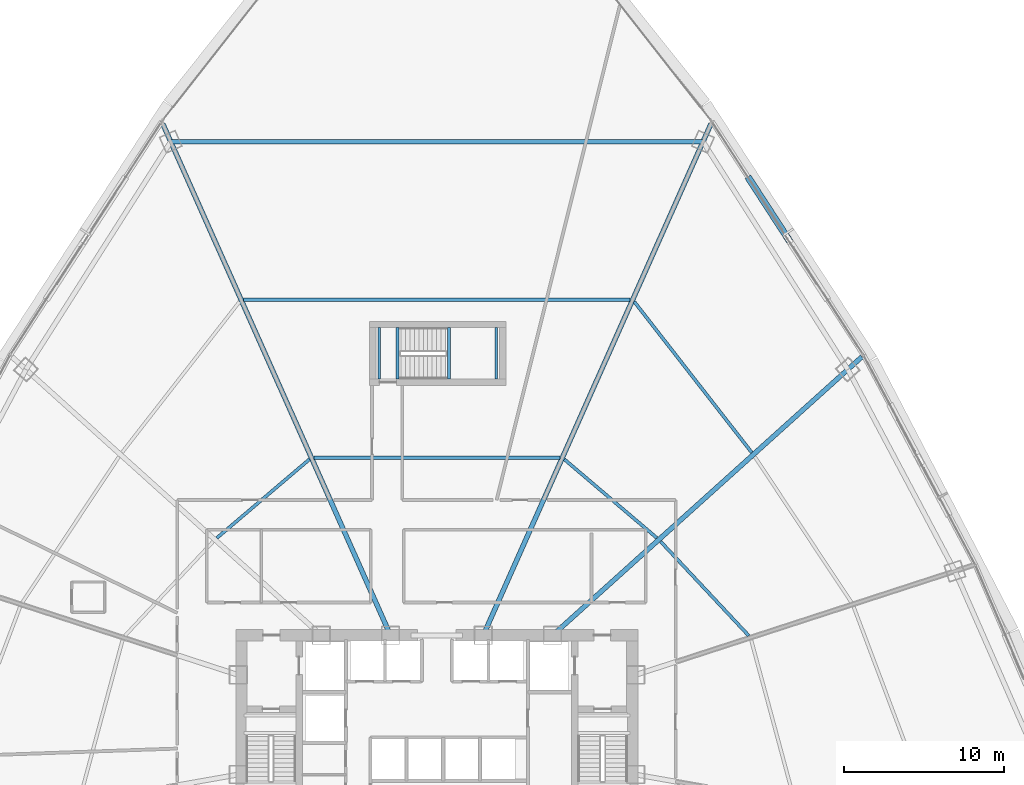
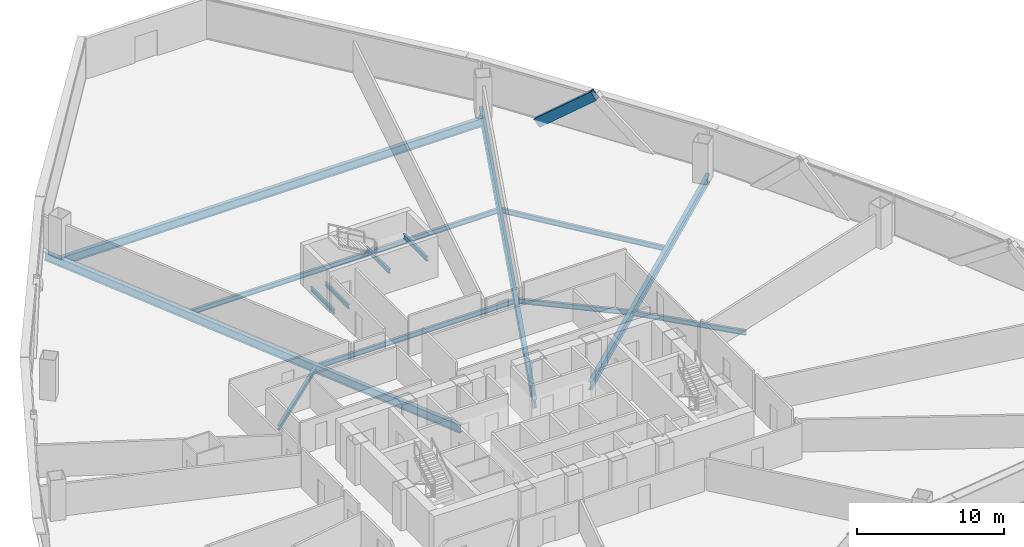
# One storey, part 19 of 37: 14 beams, 1 member.
"""IFC4 building model written with IfcOpenShell, lengths in metres."""

from ifc_helpers import new_model, si_unit, direction, frame, origin, origin_2d, place, context, subcontext, project, spatial, hollow_rectangle, i_section, extrude, source, transform, mapped, material, material_profile, profile_set, type_object, element, save


model = new_model("IFC4")

# Units and contexts
model_context = context("Model", 3, precision=1e-05, world=origin(), true_north=direction((0.0, 1.0)))
body_context = subcontext(model_context, "Body", "Model", "MODEL_VIEW")
ifc_project = project(units=[si_unit("LENGTHUNIT", "METRE"), si_unit("AREAUNIT", "SQUARE_METRE"), si_unit("VOLUMEUNIT", "CUBIC_METRE"), si_unit("PLANEANGLEUNIT", "RADIAN"), si_unit("MASSUNIT", "GRAM", prefix="KILO"), si_unit("THERMODYNAMICTEMPERATUREUNIT", "KELVIN"), si_unit("POWERUNIT", "WATT")], contexts=[model_context])

# Site, building, storey
site_placement = place(None, origin())
site = spatial("IfcSite", under=ifc_project, at=site_placement, CompositionType="ELEMENT")
building_placement = place(site_placement, origin())
building = spatial("IfcBuilding", under=site, at=building_placement, Name="Yunzhuo Pagoda Commons", CompositionType="ELEMENT")
storey_placement = place(building_placement, frame((0.0, 0.0, 52.179931640625)))
storey = spatial("IfcBuildingStorey", under=building, at=storey_placement, Name="L13", CompositionType="ELEMENT", Elevation=52.179931640625)

# Beams
ifc_material_1 = material(Name="Structural steel Q355B", Category="steel")
ifc_material_profile_1 = material_profile(ifc_material_1, i_section(OverallWidth=0.175048828125, OverallDepth=0.35009765625, WebThickness=0.007080078125, FlangeThickness=0.010986328125, at=origin_2d()), Name="Structural steel Q355B")
ifc_profile_set_1 = profile_set([ifc_material_profile_1], Name="Structural steel Q355B")
beam_type_1 = type_object("IfcBeamType", Name="B-JS2 Joist HN 350x175x7x11", PredefinedType="JOIST", material=ifc_profile_set_1)
shared_shape_1 = source(origin(), body_context, "Body", "SweptSolid", [
    extrude(i_section(OverallWidth=0.175048828125, OverallDepth=0.35009765625, WebThickness=0.007080078125, FlangeThickness=0.010986328125, at=origin_2d()), origin(), (0.0, 0.0, 1.0), 3.199951171875),
])
for number, where, z_axis, x_axis, name in (
    (1, (48.75, 56.199951171875, 1.440185546875), (0.0, 1.0, 0.0), (-1.0, 0.0, 0.0), "L13 ST3 landing support beam 17A"),
    (2, (51.699951171875, 56.199951171875, 1.440185546875), (0.0, 1.0, 0.0), (-1.0, 0.0, 0.0), "L13 ST3 landing support beam 17B"),
    (3, (44.39990234375, 56.199951171875, -0.375), (0.0, 1.0, 0.0), (-1.0, 0.0, 0.0), "L13 ST3 landing support beam 87A"),
    (4, (45.550048828125, 56.199951171875, -0.375), (0.0, 1.0, 0.0), (-1.0, 0.0, 0.0), "L13 ST3 landing support beam 87B"),
):
    element("IfcBeam", number, at=place(storey_placement, frame(where, z_axis=z_axis, x_axis=x_axis)), inside=storey, type_object=beam_type_1, Name=name, PredefinedType="JOIST", context=body_context, shape_type="MappedRepresentation", body=[
        mapped(shared_shape_1, transform((0.0, 0.0, 0.0), scale=1.0)),
    ])
ifc_material_profile_2 = material_profile(ifc_material_1, i_section(OverallWidth=0.300048828125, OverallDepth=0.699951171875, WebThickness=0.012939453125, FlangeThickness=0.02392578125, at=origin_2d()), Name="Structural steel Q355B")
ifc_profile_set_2 = profile_set([ifc_material_profile_2], Name="Structural steel Q355B")
beam_type_2 = type_object("IfcBeamType", Name="B-RG1 Beam HN 700x300x13x24", PredefinedType="BEAM", material=ifc_profile_set_2)
shared_shape_2 = source(origin(), body_context, "Body", "SweptSolid", [
    extrude(i_section(OverallWidth=0.300048828125, OverallDepth=0.699951171875, WebThickness=0.012939453125, FlangeThickness=0.02392578125, at=origin_2d()), origin(), (0.0, 0.0, 1.0), 33.2216796875),
])
beam_1_placement = place(storey_placement, frame((64.61083984375, 71.008544921875, -0.60986328125), z_axis=(-1.0, 0.0, 0.0), x_axis=(0.0, -1.0, 0.0)))
element("IfcBeam", 5, at=beam_1_placement, inside=storey, type_object=beam_type_2, Name="L13 column-ring beam 8", PredefinedType="BEAM", context=body_context, shape_type="MappedRepresentation", body=[
    mapped(shared_shape_2, transform((0.0, 0.0, 0.0), scale=1.0)),
])
ifc_material_profile_3 = material_profile(ifc_material_1, i_section(OverallWidth=0.199951171875, OverallDepth=0.39990234375, WebThickness=0.008056640625, FlangeThickness=0.012939453125, at=origin_2d()), Name="Structural steel Q355B")
ifc_profile_set_3 = profile_set([ifc_material_profile_3], Name="Structural steel Q355B")
beam_type_3 = type_object("IfcBeamType", Name="B-JS1 Joist HN 400x200x8x13", PredefinedType="JOIST", material=ifc_profile_set_3)
shared_shape_3 = source(origin(), body_context, "Body", "SweptSolid", [
    extrude(i_section(OverallWidth=0.199951171875, OverallDepth=0.39990234375, WebThickness=0.008056640625, FlangeThickness=0.012939453125, at=origin_2d()), origin(), (0.0, 0.0, 1.0), 8.055908203125),
])
beam_2_placement = place(storey_placement, frame((67.468017578125, 40.177001953125, -0.4599609375), z_axis=(-0.683432879027, 0.730013355949, 0.0), x_axis=(-0.730013355949, -0.683432879027, 0.0)))
element("IfcBeam", 6, at=beam_2_placement, inside=storey, type_object=beam_type_3, Name="L13 composite ring joist 1.6", PredefinedType="JOIST", context=body_context, shape_type="MappedRepresentation", body=[
    mapped(shared_shape_3, transform((0.0, 0.0, 0.0), scale=1.0)),
])
shared_shape_4 = source(origin(), body_context, "Body", "SweptSolid", [
    extrude(i_section(OverallWidth=0.199951171875, OverallDepth=0.39990234375, WebThickness=0.008056640625, FlangeThickness=0.012939453125, at=origin_2d()), origin(), (0.0, 0.0, 1.0), 7.583984375),
])
for number, where, z_axis, x_axis, name in (
    (7, (61.732421875, 46.277099609375, -0.4599609375), (-0.762037799133, 0.647532541803, 0.0), (-0.647532541803, -0.762037799133, 0.0), "L13 composite ring joist 1.7"),
    (8, (40.046875, 51.18798828125, -0.4599609375), (-0.762037799133, -0.647532541803, 0.0), (0.647532541803, -0.762037799133, 0.0), "L13 composite ring joist 1.9"),
):
    element("IfcBeam", number, at=place(storey_placement, frame(where, z_axis=z_axis, x_axis=x_axis)), inside=storey, type_object=beam_type_3, Name=name, PredefinedType="JOIST", context=body_context, shape_type="MappedRepresentation", body=[
        mapped(shared_shape_4, transform((0.0, 0.0, 0.0), scale=1.0)),
    ])
shared_shape_5 = source(origin(), body_context, "Body", "SweptSolid", [
    extrude(i_section(OverallWidth=0.199951171875, OverallDepth=0.39990234375, WebThickness=0.008056640625, FlangeThickness=0.012939453125, at=origin_2d()), origin(), (0.0, 0.0, 1.0), 11.9345703125),
])
beam_3_placement = place(storey_placement, frame((67.65380859375, 51.609619140625, -0.4599609375), z_axis=(-0.614572048085, 0.788860696012, 0.0), x_axis=(-0.788860696012, -0.614572048085, 0.0)))
element("IfcBeam", 9, at=beam_3_placement, inside=storey, type_object=beam_type_3, Name="L13 composite ring joist 2.7", PredefinedType="JOIST", context=body_context, shape_type="MappedRepresentation", body=[
    mapped(shared_shape_5, transform((0.0, 0.0, 0.0), scale=1.0)),
])
shared_shape_6 = source(origin(), body_context, "Body", "SweptSolid", [
    extrude(i_section(OverallWidth=0.199951171875, OverallDepth=0.39990234375, WebThickness=0.008056640625, FlangeThickness=0.012939453125, at=origin_2d()), origin(), (0.0, 0.0, 1.0), 15.34619140625),
])
beam_4_placement = place(storey_placement, frame((55.673095703125, 51.291015625, -0.4599609375), z_axis=(-1.0, 0.0, 0.0), x_axis=(0.0, -1.0, 0.0)))
element("IfcBeam", 10, at=beam_4_placement, inside=storey, type_object=beam_type_3, Name="L13 composite ring joist 1.8", PredefinedType="JOIST", context=body_context, shape_type="MappedRepresentation", body=[
    mapped(shared_shape_6, transform((0.0, 0.0, 0.0), scale=1.0)),
])
shared_shape_7 = source(origin(), body_context, "Body", "SweptSolid", [
    extrude(i_section(OverallWidth=0.199951171875, OverallDepth=0.39990234375, WebThickness=0.008056640625, FlangeThickness=0.012939453125, at=origin_2d()), origin(), (0.0, 0.0, 1.0), 24.125),
])
beam_5_placement = place(storey_placement, frame((60.0625, 61.14990234375, -0.4599609375), z_axis=(-1.0, 0.0, 0.0), x_axis=(0.0, -1.0, 0.0)))
element("IfcBeam", 11, at=beam_5_placement, inside=storey, type_object=beam_type_3, Name="L13 composite ring joist 2.8", PredefinedType="JOIST", context=body_context, shape_type="MappedRepresentation", body=[
    mapped(shared_shape_7, transform((0.0, 0.0, 0.0), scale=1.0)),
])
shared_shape_8 = source(origin(), body_context, "Body", "SweptSolid", [
    extrude(i_section(OverallWidth=0.300048828125, OverallDepth=0.699951171875, WebThickness=0.012939453125, FlangeThickness=0.02392578125, at=origin_2d()), origin(), (0.0, 0.0, 1.0), 25.97607421875),
])
beam_6_placement = place(storey_placement, frame((74.52294921875, 57.581298828125, -0.60986328125), z_axis=(-0.743145046906, -0.669130360437, 0.0), x_axis=(0.669130360437, -0.743145046906, 0.0)))
element("IfcBeam", 12, at=beam_6_placement, inside=storey, type_object=beam_type_2, Name="L13 radial floor girder F2C3", PredefinedType="BEAM", context=body_context, shape_type="MappedRepresentation", body=[
    mapped(shared_shape_8, transform((0.0, 0.0, 0.0), scale=1.0)),
])
shared_shape_9 = source(origin(), body_context, "Body", "SweptSolid", [
    extrude(i_section(OverallWidth=0.300048828125, OverallDepth=0.699951171875, WebThickness=0.012939453125, FlangeThickness=0.02392578125, at=origin_2d()), origin(), (0.0, 0.0, 1.0), 34.9482421875),
])
for number, where, z_axis, x_axis, name in (
    (13, (65.108642578125, 72.126708984375, -0.60986328125), (-0.406734044975, -0.913546614387, 0.0), (0.913546614387, -0.406734044975, 0.0), "L13 radial floor girder F2C4"),
    (14, (30.891357421875, 72.126708984375, -0.60986328125), (0.406734044975, -0.913546614387, 0.0), (0.913546614387, 0.406734044975, 0.0), "L13 radial floor girder F3C1"),
):
    element("IfcBeam", number, at=place(storey_placement, frame(where, z_axis=z_axis, x_axis=x_axis)), inside=storey, type_object=beam_type_2, Name=name, PredefinedType="BEAM", context=body_context, shape_type="MappedRepresentation", body=[
        mapped(shared_shape_9, transform((0.0, 0.0, 0.0), scale=1.0)),
    ])

# Member
ifc_material_2 = material(Name="Structural steel Q420B", Category="steel")
ifc_material_profile_4 = material_profile(ifc_material_2, hollow_rectangle(XDim=0.419921875, YDim=0.719970703125, WallThickness=0.028076171875, at=origin_2d()), Name="Structural steel Q420B")
ifc_profile_set_4 = profile_set([ifc_material_profile_4], Name="Structural steel Q420B")
member_type = type_object("IfcMemberType", Name="M-DL1 Brace BOX 720x420x28", PredefinedType="BRACE", material=ifc_profile_set_4)
shared_shape_10 = source(origin(), body_context, "Body", "SweptSolid", [
    extrude(hollow_rectangle(XDim=0.419921875, YDim=0.719970703125, WallThickness=0.028076171875, at=origin_2d()), origin(), (0.0, 0.0, 1.0), 5.6630859375),
])
member_placement = place(storey_placement, frame((67.538330078125, 68.62255859375, -0.260009765625), z_axis=(0.417880962033, -0.643785866712, 0.641026722838), x_axis=(0.838788662452, 0.544457142245, 0.0)))
element("IfcMember", 15, at=member_placement, inside=storey, type_object=member_type, Name="L13 facade diamond brace F2.3R", PredefinedType="BRACE", context=body_context, shape_type="MappedRepresentation", body=[
    mapped(shared_shape_10, transform((0.0, 0.0, 0.0), scale=1.0)),
])

save(model, "model.ifc")
